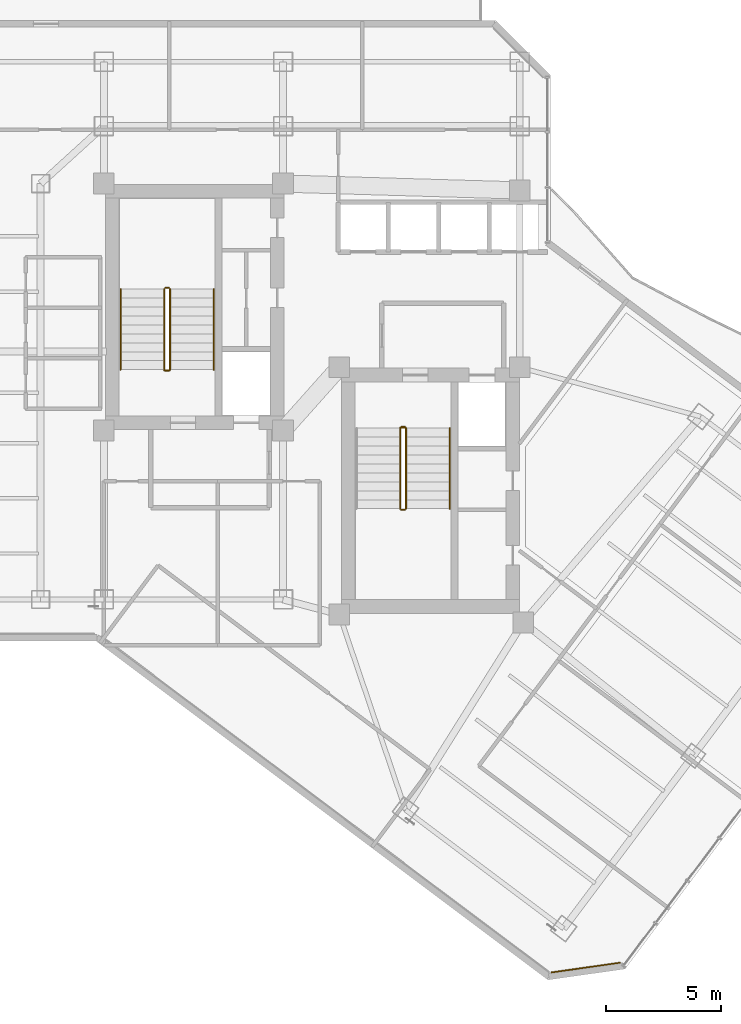
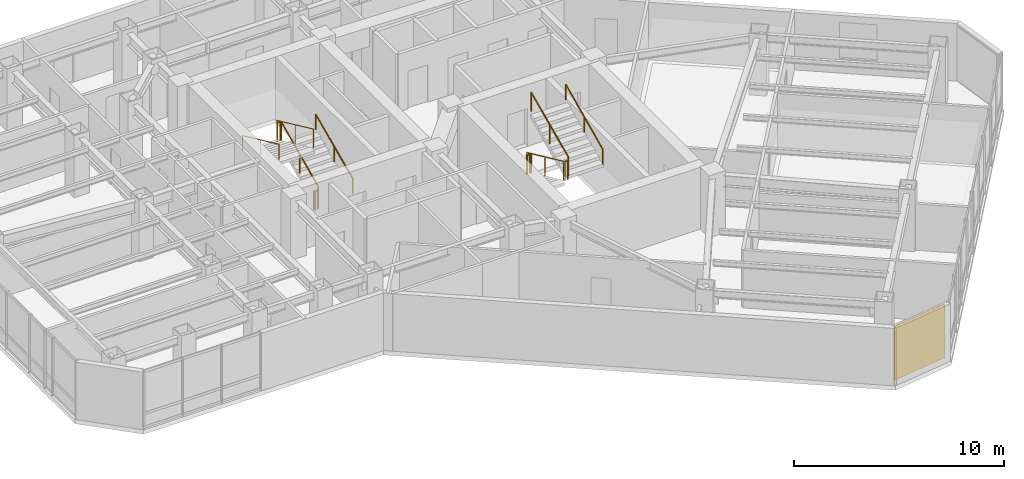
# One storey, part 26 of 27: 13 railings, 1 covering.
"""IFC4 building model written with IfcOpenShell, lengths in metres."""

import ifcopenshell
import ifcopenshell.guid

model = None  # the IFC model being written
_history = None  # IfcOwnerHistory: only IFC2X3 demands one
_inside = {}  # id of a spatial element -> (the spatial element, [elements in it])
_under = {}  # id of a project, library or spatial element -> (it, [spatial elements below it])
_declared = {}  # id of a project -> (the project, [libraries it declares])
_typed = {}  # id of a type object -> (the type object, [elements of that type])
_made_of = {}  # id of a material, layer set ... -> (it, [elements and type objects made of it])


def new_model(schema):
    """Start an empty IFC model of exactly this schema.

    Asked for "IFC4X3", IfcOpenShell would pick the latest addendum, in which some entities
    have other attributes; the version numbers below select the first issue.
    IFC2X3 requires an IfcOwnerHistory on every rooted entity: one is made here for all.
    """
    global model, _history
    if schema == "IFC4X3":
        model = ifcopenshell.file(schema_version=(4, 3, 0, 0))
    else:
        model = ifcopenshell.file(schema=schema)
    _inside.clear()
    _under.clear()
    _declared.clear()
    _typed.clear()
    _made_of.clear()
    _history = None
    if model.schema == "IFC2X3":
        org = make("IfcOrganization", Name="unknown")
        user = make(
            "IfcPersonAndOrganization",
            ThePerson=make("IfcPerson", FamilyName="unknown"),
            TheOrganization=org,
        )
        app = make(
            "IfcApplication",
            ApplicationDeveloper=org,
            Version="unknown",
            ApplicationFullName="unknown",
            ApplicationIdentifier="unknown",
        )
        _history = make(
            "IfcOwnerHistory",
            OwningUser=user,
            OwningApplication=app,
            ChangeAction="ADDED",
            CreationDate=0,
        )
    return model


def make(cls, **values):
    """One entity of the class cls with the attributes given. An attribute that is None is left unset."""
    return model.create_entity(
        cls, **{name: value for name, value in values.items() if value is not None}
    )


def rooted(cls, **values):
    """An entity with a GlobalId (a new one), such as an element, a storey or a relation."""
    return make(cls, GlobalId=ifcopenshell.guid.new(), OwnerHistory=_history, **values)


def si_unit(unit_type, name, prefix=None):
    """IfcSIUnit, for example si_unit("LENGTHUNIT", "METRE", prefix="MILLI")."""
    return make("IfcSIUnit", UnitType=unit_type, Prefix=prefix, Name=name)


def assignment(units):
    """IfcUnitAssignment: the units of a project."""
    return None if units is None else make("IfcUnitAssignment", Units=units)


def point(xyz):
    """IfcCartesianPoint."""
    return None if xyz is None else make("IfcCartesianPoint", Coordinates=xyz)


def direction(xyz):
    """IfcDirection."""
    return None if xyz is None else make("IfcDirection", DirectionRatios=xyz)


def frame(location, z_axis=None, x_axis=None):
    """IfcAxis2Placement3D, a coordinate frame: its origin and axes. An axis left out is left unset."""
    return make(
        "IfcAxis2Placement3D",
        Location=point(location),
        Axis=direction(z_axis),
        RefDirection=direction(x_axis),
    )


def frame_2d(location, x_axis=None):
    """IfcAxis2Placement2D, a coordinate frame in the plane: its origin and x axis."""
    return make(
        "IfcAxis2Placement2D", Location=point(location), RefDirection=direction(x_axis)
    )


def origin():
    """The frame at (0, 0, 0) with its axes left unset."""
    return frame((0.0, 0.0, 0.0))


def origin_2d():
    """The frame at (0, 0) in the plane with its x axis left unset."""
    return frame_2d((0.0, 0.0))


def place(relative_to, where):
    """IfcLocalPlacement: puts the frame where relative to a parent placement (None: the world)."""
    return make(
        "IfcLocalPlacement", PlacementRelTo=relative_to, RelativePlacement=where
    )


def context(
    kind, dimensions, precision=None, world=None, true_north=None, identifier=None
):
    """IfcGeometricRepresentationContext, for example the 3D "Model" context."""
    return make(
        "IfcGeometricRepresentationContext",
        ContextIdentifier=identifier,
        ContextType=kind,
        CoordinateSpaceDimension=dimensions,
        Precision=precision,
        WorldCoordinateSystem=world,
        TrueNorth=true_north,
    )


def subcontext(parent, identifier, kind, view, scale=None):
    """IfcGeometricRepresentationSubContext, for example "Body" below "Model"."""
    return make(
        "IfcGeometricRepresentationSubContext",
        ContextIdentifier=identifier,
        ContextType=kind,
        ParentContext=parent,
        TargetScale=scale,
        TargetView=view,
    )


def project(units=None, contexts=None):
    """IfcProject with its units and contexts."""
    return rooted(
        "IfcProject",
        Name="project",
        RepresentationContexts=contexts,
        UnitsInContext=assignment(units),
    )


def spatial(cls, under=None, at=None, **own):
    """A site, building, storey or space (cls), placed at a placement, below another one or the project."""
    s = rooted(cls, ObjectPlacement=at, **own)
    if under is not None:
        _under.setdefault(under.id(), (under, []))[1].append(s)
    return s


def profile(cls, at=None, kind="AREA", **sizes):
    """A parametric profile (cls). Its sizes go by their IFC names, for example OverallWidth=200.0."""
    return make(cls, ProfileType=kind, Position=at, **sizes)


def rectangle(**sizes):
    """IfcRectangleProfileDef."""
    return profile("IfcRectangleProfileDef", **sizes)


def circle(**sizes):
    """IfcCircleProfileDef."""
    return profile("IfcCircleProfileDef", **sizes)


def extrude(swept, where, along, depth):
    """IfcExtrudedAreaSolid: the profile swept, set in the frame where, extruded along a direction by depth."""
    return make(
        "IfcExtrudedAreaSolid",
        SweptArea=swept,
        Position=where,
        ExtrudedDirection=direction(along),
        Depth=depth,
    )


def shape(context_of_items, identifier, shape_type, items):
    """IfcShapeRepresentation: the items that make up one representation, for example the "Body"."""
    return make(
        "IfcShapeRepresentation",
        ContextOfItems=context_of_items,
        RepresentationIdentifier=identifier,
        RepresentationType=shape_type,
        Items=items,
    )


def material(Name=None, Category=None):
    """IfcMaterial."""
    return make("IfcMaterial", Name=Name, Category=Category)


def layer(
    of_material, thickness, ventilated=None, Name=None, Category=None, Priority=None
):
    """IfcMaterialLayer: one layer of a wall or slab, of a material (None: an air gap)."""
    return make(
        "IfcMaterialLayer",
        Material=of_material,
        LayerThickness=thickness,
        IsVentilated=ventilated,
        Name=Name,
        Category=Category,
        Priority=Priority,
    )


def layer_set(layers, Name=None):
    """IfcMaterialLayerSet."""
    return make("IfcMaterialLayerSet", MaterialLayers=layers, LayerSetName=Name)


def made_of(thing, what):
    """Note that an element or type object is made of a material, layer set ...; save() writes the relation."""
    if what is not None:
        _made_of.setdefault(what.id(), (what, []))[1].append(thing)
    return thing


def type_object(cls, material=None, **own):
    """A type object (cls), such as IfcWallType, which elements share."""
    return made_of(rooted(cls, **own), material)


def element(
    cls,
    number,
    at=None,
    inside=None,
    cuts=None,
    type_object=None,
    material=None,
    context=None,
    identifier="Body",
    shape_type=None,
    held_by="IfcProductDefinitionShape",
    body=None,
    shapes=None,
    **own,
):
    """One element of the class cls, such as IfcWall. Its Tag is "e" and its number.

    at: its placement. inside: the storey or other place that contains it. cuts: it is an
    opening in that element (IfcRelVoidsElement). A single representation is given by context,
    identifier, shape_type and body (its items); several are given by shapes. held_by: the class
    of the entity that holds the representations. save() writes the other relations.
    """
    e = rooted(cls, Tag="e%d" % number, ObjectPlacement=at, **own)
    if body is not None:
        shapes = [shape(context, identifier, shape_type, body)]
    if shapes is not None:
        e.Representation = make(held_by, Representations=shapes)
    if inside is not None:
        _inside.setdefault(inside.id(), (inside, []))[1].append(e)
    if cuts is not None:
        rooted(
            "IfcRelVoidsElement", RelatingBuildingElement=cuts, RelatedOpeningElement=e
        )
    if type_object is not None:
        _typed.setdefault(type_object.id(), (type_object, []))[1].append(e)
    return made_of(e, material)


def aggregate(whole, parts):
    """IfcRelAggregates: a whole, such as a stair, and the parts it consists of."""
    return rooted("IfcRelAggregates", RelatingObject=whole, RelatedObjects=parts)


def save(model, path):
    """Write the relations noted so far, then the file.

    IfcRelAggregates (storeys below a building ...), IfcRelContainedInSpatialStructure (elements
    in a storey), IfcRelDefinesByType, IfcRelAssociatesMaterial and IfcRelDeclares: one each for
    every whole, place, type object, material and project.
    """
    for whole, parts in _under.values():
        aggregate(whole, parts)
    for where, things in _inside.values():
        rooted(
            "IfcRelContainedInSpatialStructure",
            RelatedElements=things,
            RelatingStructure=where,
        )
    for kind, things in _typed.values():
        rooted("IfcRelDefinesByType", RelatedObjects=things, RelatingType=kind)
    for what, things in _made_of.values():
        rooted("IfcRelAssociatesMaterial", RelatedObjects=things, RelatingMaterial=what)
    for by, libraries in _declared.values():
        rooted("IfcRelDeclares", RelatingContext=by, RelatedDefinitions=libraries)
    model.write(path)


model = new_model("IFC4")

# Units and contexts
model_context = context("Model", 3, precision=1e-05, world=origin(), true_north=direction((0.0, 1.0)))
body_context = subcontext(model_context, "Body", "Model", "MODEL_VIEW")
ifc_project = project(units=[si_unit("LENGTHUNIT", "METRE"), si_unit("AREAUNIT", "SQUARE_METRE"), si_unit("VOLUMEUNIT", "CUBIC_METRE"), si_unit("PLANEANGLEUNIT", "RADIAN"), si_unit("MASSUNIT", "GRAM", prefix="KILO")], contexts=[model_context])

# Site, building, storey
site_placement = place(None, origin())
site = spatial("IfcSite", under=ifc_project, at=site_placement, CompositionType="ELEMENT")
building_placement = place(site_placement, origin())
building = spatial("IfcBuilding", under=site, at=building_placement, Name="Hatsunagi Terrace Concourse", CompositionType="ELEMENT")
storey_placement = place(building_placement, frame((0.0, 0.0, 142.050048828125)))
storey = spatial("IfcBuildingStorey", under=building, at=storey_placement, Name="L37", CompositionType="ELEMENT", Elevation=142.050048828125)

# Railings
ifc_material_1 = material(Name="Stainless steel", Category="steel")
ifc_layer_1 = layer(ifc_material_1, 0.044921875)
ifc_layer_set_1 = layer_set([ifc_layer_1], Name="StairPitchHandrail_Tower2000")
railing_type_1 = type_object("IfcRailingType", Name="StairPitchHandrail_Tower2000", PredefinedType="HANDRAIL", material=ifc_layer_set_1)
railing_1_placement = place(storey_placement, frame((30.330078125, 35.199951171875, 0.179931640625)))
element("IfcRailing", 1, at=railing_1_placement, inside=storey, type_object=railing_type_1, Name="L37 ST-A stair handrail 1", PredefinedType="HANDRAIL", context=body_context, shape_type="SweptSolid", body=[
    extrude(circle(Radius=0.02392578125, at=origin_2d()), frame((0.0, 0.0, 0.8759765625), z_axis=(0.0, 0.907948293929, 0.419082206198), x_axis=(-1.0, 0.0, 0.0)), (0.0, 0.0, 1.0), 3.865966796875),
    extrude(circle(Radius=0.02099609375, at=origin_2d()), origin(), (0.0, 0.0, 1.0), 0.851806640625),
    extrude(circle(Radius=0.02099609375, at=origin_2d()), frame((0.0, 1.7548828125, 0.81005859375)), (0.0, 0.0, 1.0), 0.851806640625),
    extrude(circle(Radius=0.02099609375, at=origin_2d()), frame((0.0, 3.510009765625, 1.6201171875)), (0.0, 0.0, 1.0), 0.851806640625),
])
railing_2_placement = place(storey_placement, frame((26.280029296875, 38.7099609375, 1.97998046875)))
element("IfcRailing", 2, at=railing_2_placement, inside=storey, type_object=railing_type_1, Name="L37 ST-A stair handrail 2", PredefinedType="HANDRAIL", context=body_context, shape_type="SweptSolid", body=[
    extrude(circle(Radius=0.02392578125, at=origin_2d()), frame((0.0, 0.0, 0.8759765625), z_axis=(0.0, -0.907972323039, 0.419030142823), x_axis=(1.0, 0.0, 0.0)), (0.0, 0.0, 1.0), 3.86572265625),
    extrude(circle(Radius=0.02099609375, at=origin_2d()), origin(), (0.0, 0.0, 1.0), 0.851806640625),
    extrude(circle(Radius=0.02099609375, at=origin_2d()), frame((0.0, -1.7548828125, 0.81005859375)), (0.0, 0.0, 1.0), 0.851806640625),
    extrude(circle(Radius=0.02099609375, at=origin_2d()), frame((0.0, -3.510009765625, 1.619873046875)), (0.0, 0.0, 1.0), 0.851806640625),
])
railing_3_placement = place(storey_placement, frame((40.60009765625, 29.14990234375, 1.97998046875)))
element("IfcRailing", 3, at=railing_3_placement, inside=storey, type_object=railing_type_1, Name="L37 ST-B stair handrail 2", PredefinedType="HANDRAIL", context=body_context, shape_type="SweptSolid", body=[
    extrude(circle(Radius=0.02392578125, at=origin_2d()), frame((0.0, 0.0, 0.8759765625), z_axis=(0.0, 0.907972323039, 0.419030142823), x_axis=(-1.0, 0.0, 0.0)), (0.0, 0.0, 1.0), 3.86572265625),
    extrude(circle(Radius=0.02099609375, at=origin_2d()), origin(), (0.0, 0.0, 1.0), 0.851806640625),
    extrude(circle(Radius=0.02099609375, at=origin_2d()), frame((0.0, 1.7548828125, 0.81005859375)), (0.0, 0.0, 1.0), 0.851806640625),
    extrude(circle(Radius=0.02099609375, at=origin_2d()), frame((0.0, 3.510009765625, 1.619873046875)), (0.0, 0.0, 1.0), 0.851806640625),
])
ifc_material_2 = material(Name="Stainless steel", Category="steel")
ifc_layer_2 = layer(ifc_material_2, 0.06005859375)
ifc_layer_set_2 = layer_set([ifc_layer_2], Name="StairWellGuard_Tower2000")
railing_type_2 = type_object("IfcRailingType", Name="StairWellGuard_Tower2000", PredefinedType="BALUSTRADE", material=ifc_layer_set_2)
railing_4_placement = place(storey_placement, frame((28.429931640625, 35.199951171875, 0.179931640625)))
element("IfcRailing", 4, at=railing_4_placement, inside=storey, type_object=railing_type_2, Name="L37 ST-A stair guard 1", PredefinedType="BALUSTRADE", context=body_context, shape_type="SweptSolid", body=[
    extrude(circle(Radius=0.02392578125, at=origin_2d()), frame((0.0, 0.0, 1.09619140625), z_axis=(0.0, 0.907948293929, 0.419082206198), x_axis=(-1.0, 0.0, 0.0)), (0.0, 0.0, 1.0), 3.865966796875),
    extrude(circle(Radius=0.02099609375, at=origin_2d()), origin(), (0.0, 0.0, 1.0), 1.072021484375),
    extrude(circle(Radius=0.02099609375, at=origin_2d()), frame((0.0, 1.7548828125, 0.81005859375)), (0.0, 0.0, 1.0), 1.072021484375),
    extrude(circle(Radius=0.02099609375, at=origin_2d()), frame((0.0, 3.510009765625, 1.6201171875)), (0.0, 0.0, 1.0), 1.072021484375),
])
railing_5_placement = place(storey_placement, frame((28.3798828125, 38.760009765625, 1.800048828125)))
element("IfcRailing", 5, at=railing_5_placement, inside=storey, type_object=railing_type_2, Name="L37 ST-A stair guard 2", PredefinedType="BALUSTRADE", context=body_context, shape_type="SweptSolid", body=[
    extrude(circle(Radius=0.02392578125, at=origin_2d()), frame((0.0, 0.0, 1.09619140625), z_axis=(-1.0, 0.0, 0.0), x_axis=(0.0, -1.0, 0.0)), (0.0, 0.0, 1.0), 0.14990234375),
    extrude(circle(Radius=0.02099609375, at=origin_2d()), origin(), (0.0, 0.0, 1.0), 1.072021484375),
    extrude(circle(Radius=0.02099609375, at=origin_2d()), frame((-0.14990234375, 0.0, 0.0)), (0.0, 0.0, 1.0), 1.072021484375),
])
railing_6_placement = place(storey_placement, frame((28.179931640625, 38.7099609375, 1.97998046875)))
element("IfcRailing", 6, at=railing_6_placement, inside=storey, type_object=railing_type_2, Name="L37 ST-A stair guard 3", PredefinedType="BALUSTRADE", context=body_context, shape_type="SweptSolid", body=[
    extrude(circle(Radius=0.02392578125, at=origin_2d()), frame((0.0, 0.0, 1.09619140625), z_axis=(0.0, -0.907972323039, 0.419030142823), x_axis=(1.0, 0.0, 0.0)), (0.0, 0.0, 1.0), 3.86572265625),
    extrude(circle(Radius=0.02099609375, at=origin_2d()), origin(), (0.0, 0.0, 1.0), 1.072021484375),
    extrude(circle(Radius=0.02099609375, at=origin_2d()), frame((0.0, -1.7548828125, 0.81005859375)), (0.0, 0.0, 1.0), 1.072021484375),
    extrude(circle(Radius=0.02099609375, at=origin_2d()), frame((0.0, -3.510009765625, 1.619873046875)), (0.0, 0.0, 1.0), 1.072021484375),
])
railing_7_placement = place(storey_placement, frame((28.3798828125, 35.14990234375, 0.0)))
element("IfcRailing", 7, at=railing_7_placement, inside=storey, type_object=railing_type_2, Name="L37 ST-A stair guard 4", PredefinedType="BALUSTRADE", context=body_context, shape_type="SweptSolid", body=[
    extrude(circle(Radius=0.02392578125, at=origin_2d()), frame((0.0, 0.0, 1.09619140625), z_axis=(-1.0, 0.0, 0.0), x_axis=(0.0, -1.0, 0.0)), (0.0, 0.0, 1.0), 0.14990234375),
    extrude(circle(Radius=0.02099609375, at=origin_2d()), origin(), (0.0, 0.0, 1.0), 1.072021484375),
    extrude(circle(Radius=0.02099609375, at=origin_2d()), frame((-0.14990234375, 0.0, 0.0)), (0.0, 0.0, 1.0), 1.072021484375),
])
railing_8_placement = place(storey_placement, frame((38.449951171875, 32.659912109375, 0.179931640625)))
element("IfcRailing", 8, at=railing_8_placement, inside=storey, type_object=railing_type_2, Name="L37 ST-B stair guard 1", PredefinedType="BALUSTRADE", context=body_context, shape_type="SweptSolid", body=[
    extrude(circle(Radius=0.02392578125, at=origin_2d()), frame((0.0, 0.0, 1.09619140625), z_axis=(0.0, -0.907948293929, 0.419082206198), x_axis=(1.0, 0.0, 0.0)), (0.0, 0.0, 1.0), 3.865966796875),
    extrude(circle(Radius=0.02099609375, at=origin_2d()), origin(), (0.0, 0.0, 1.0), 1.072021484375),
    extrude(circle(Radius=0.02099609375, at=origin_2d()), frame((0.0, -1.7548828125, 0.81005859375)), (0.0, 0.0, 1.0), 1.072021484375),
    extrude(circle(Radius=0.02099609375, at=origin_2d()), frame((0.0, -3.510009765625, 1.6201171875)), (0.0, 0.0, 1.0), 1.072021484375),
])
railing_9_placement = place(storey_placement, frame((38.5, 29.10009765625, 1.800048828125)))
element("IfcRailing", 9, at=railing_9_placement, inside=storey, type_object=railing_type_2, Name="L37 ST-B stair guard 2", PredefinedType="BALUSTRADE", context=body_context, shape_type="SweptSolid", body=[
    extrude(circle(Radius=0.02392578125, at=origin_2d()), frame((0.0, 0.0, 1.09619140625), z_axis=(1.0, 0.0, 0.0), x_axis=(0.0, 1.0, 0.0)), (0.0, 0.0, 1.0), 0.14990234375),
    extrude(circle(Radius=0.02099609375, at=origin_2d()), origin(), (0.0, 0.0, 1.0), 1.072021484375),
    extrude(circle(Radius=0.02099609375, at=origin_2d()), frame((0.14990234375, 0.0, 0.0)), (0.0, 0.0, 1.0), 1.072021484375),
])
railing_10_placement = place(storey_placement, frame((38.699951171875, 29.14990234375, 1.97998046875)))
element("IfcRailing", 10, at=railing_10_placement, inside=storey, type_object=railing_type_2, Name="L37 ST-B stair guard 3", PredefinedType="BALUSTRADE", context=body_context, shape_type="SweptSolid", body=[
    extrude(circle(Radius=0.02392578125, at=origin_2d()), frame((0.0, 0.0, 1.09619140625), z_axis=(0.0, 0.907972323039, 0.419030142823), x_axis=(-1.0, 0.0, 0.0)), (0.0, 0.0, 1.0), 3.86572265625),
    extrude(circle(Radius=0.02099609375, at=origin_2d()), origin(), (0.0, 0.0, 1.0), 1.072021484375),
    extrude(circle(Radius=0.02099609375, at=origin_2d()), frame((0.0, 1.7548828125, 0.81005859375)), (0.0, 0.0, 1.0), 1.072021484375),
    extrude(circle(Radius=0.02099609375, at=origin_2d()), frame((0.0, 3.510009765625, 1.619873046875)), (0.0, 0.0, 1.0), 1.072021484375),
])
railing_11_placement = place(storey_placement, frame((38.5, 32.7099609375, 0.0)))
element("IfcRailing", 11, at=railing_11_placement, inside=storey, type_object=railing_type_2, Name="L37 ST-B stair guard 4", PredefinedType="BALUSTRADE", context=body_context, shape_type="SweptSolid", body=[
    extrude(circle(Radius=0.02392578125, at=origin_2d()), frame((0.0, 0.0, 1.09619140625), z_axis=(1.0, 0.0, 0.0), x_axis=(0.0, 1.0, 0.0)), (0.0, 0.0, 1.0), 0.14990234375),
    extrude(circle(Radius=0.02099609375, at=origin_2d()), origin(), (0.0, 0.0, 1.0), 1.072021484375),
    extrude(circle(Radius=0.02099609375, at=origin_2d()), frame((0.14990234375, 0.0, 0.0)), (0.0, 0.0, 1.0), 1.072021484375),
])
ifc_material_3 = material(Name="Stainless Steel SUS316 Post-and-Rail Guard", Category="steel")
ifc_layer_3 = layer(ifc_material_3, 0.080078125)
ifc_layer_set_3 = layer_set([ifc_layer_3], Name="TerracePlantedGuardRail_1200")
railing_type_3 = type_object("IfcRailingType", Name="TerracePlantedGuardRail_1200", PredefinedType="GUARDRAIL", material=ifc_layer_set_3)
for number, where, name in (
    (12, (28.179931640625, 35.179931640625, 0.0), "Stair ST-A Well Closure Guard L37"),
    (13, (38.449951171875, 32.679931640625, 0.0), "Stair ST-B Well Closure Guard L37"),
):
    element("IfcRailing", number, at=place(storey_placement, frame(where)), inside=storey, type_object=railing_type_3, Name=name, PredefinedType="GUARDRAIL", context=body_context, shape_type="SweptSolid", body=[
        extrude(circle(Radius=0.02392578125, at=origin_2d()), frame((0.0, 0.0, 1.09619140625), z_axis=(1.0, 0.0, 0.0), x_axis=(0.0, 1.0, 0.0)), (0.0, 0.0, 1.0), 0.25),
        extrude(circle(Radius=0.02099609375, at=origin_2d()), origin(), (0.0, 0.0, 1.0), 1.072021484375),
        extrude(circle(Radius=0.02099609375, at=origin_2d()), frame((0.25, 0.0, 0.0)), (0.0, 0.0, 1.0), 1.072021484375),
    ])

# Covering
ifc_material_4 = material(Name="Unglazed Warm Terracotta Rainscreen Tile", Category="masonry")
ifc_layer_4 = layer(ifc_material_4, 0.044921875)
ifc_layer_set_4 = layer_set([ifc_layer_4], Name="TerracottaRainscreenCladding_45")
covering_type = type_object("IfcCoveringType", Name="TerracottaRainscreenCladding_45", PredefinedType="CLADDING", material=ifc_layer_set_4)
covering_placement = place(storey_placement, frame((46.51806640625, 9.178955078125, 0.10009765625), z_axis=(0.0, 0.0, 1.0), x_axis=(-0.989973920543, -0.141250262458, 0.0)))
element("IfcCovering", 14, at=covering_placement, inside=storey, type_object=covering_type, Name="Terracotta Rainscreen Cladding L37-04", PredefinedType="CLADDING", context=body_context, shape_type="SweptSolid", body=[
    extrude(rectangle(XDim=3.0380859375, YDim=0.044921875, at=origin_2d()), origin(), (0.0, 0.0, 1.0), 3.14990234375),
])

save(model, "model.ifc")
